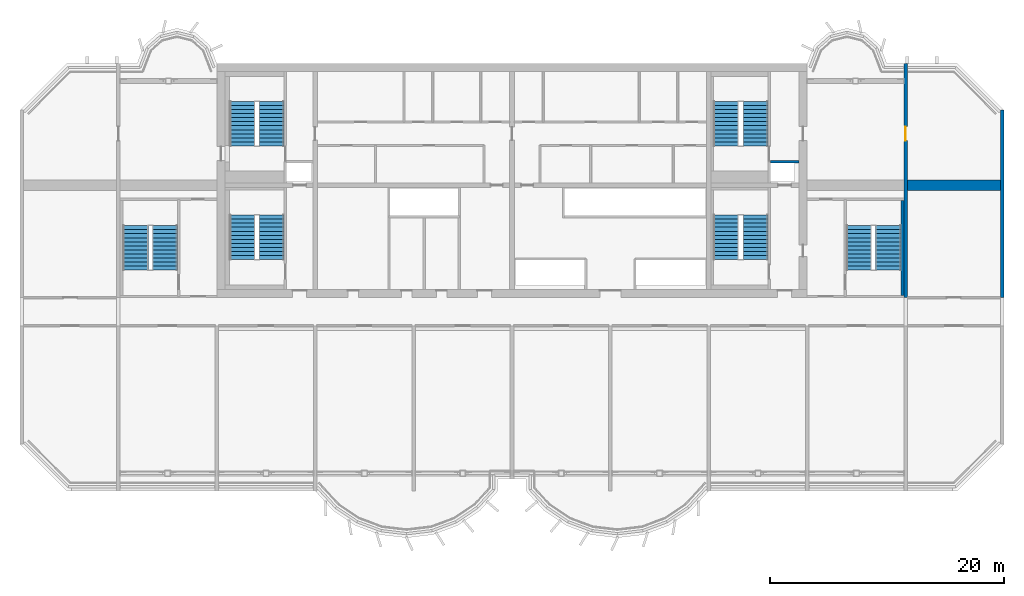
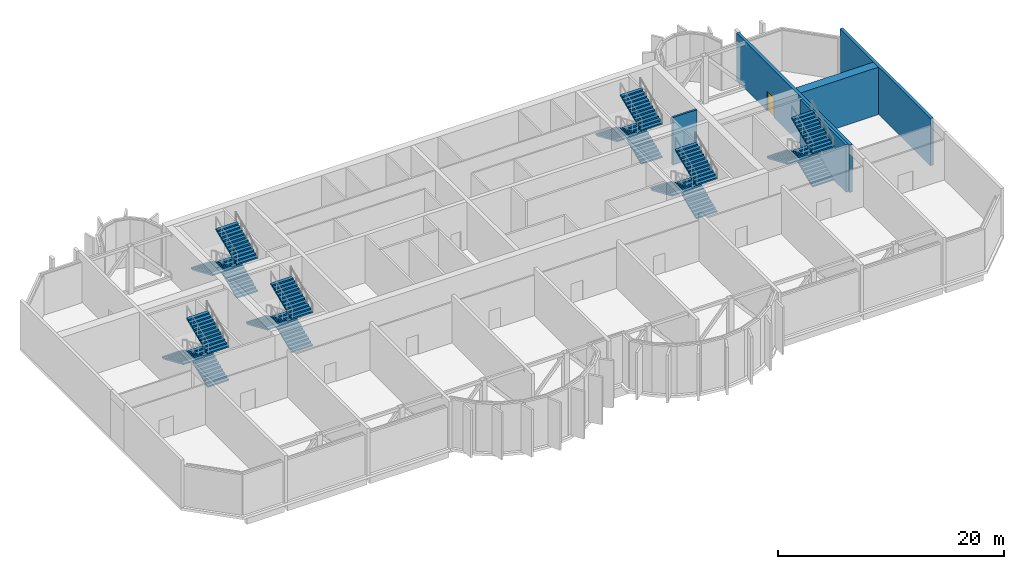
# One storey, part 7 of 15: 18 stair flights, 5 walls, 1 door, 1 opening, 6 elements without a shape of their own.
"""IFC4 building model written with IfcOpenShell, lengths in metres."""

import ifcopenshell
import ifcopenshell.guid

model = None  # the IFC model being written
_history = None  # IfcOwnerHistory: only IFC2X3 demands one
_inside = {}  # id of a spatial element -> (the spatial element, [elements in it])
_under = {}  # id of a project, library or spatial element -> (it, [spatial elements below it])
_declared = {}  # id of a project -> (the project, [libraries it declares])
_typed = {}  # id of a type object -> (the type object, [elements of that type])
_made_of = {}  # id of a material, layer set ... -> (it, [elements and type objects made of it])


def new_model(schema):
    """Start an empty IFC model of exactly this schema.

    Asked for "IFC4X3", IfcOpenShell would pick the latest addendum, in which some entities
    have other attributes; the version numbers below select the first issue.
    IFC2X3 requires an IfcOwnerHistory on every rooted entity: one is made here for all.
    """
    global model, _history
    if schema == "IFC4X3":
        model = ifcopenshell.file(schema_version=(4, 3, 0, 0))
    else:
        model = ifcopenshell.file(schema=schema)
    _inside.clear()
    _under.clear()
    _declared.clear()
    _typed.clear()
    _made_of.clear()
    _history = None
    if model.schema == "IFC2X3":
        org = make("IfcOrganization", Name="unknown")
        user = make(
            "IfcPersonAndOrganization",
            ThePerson=make("IfcPerson", FamilyName="unknown"),
            TheOrganization=org,
        )
        app = make(
            "IfcApplication",
            ApplicationDeveloper=org,
            Version="unknown",
            ApplicationFullName="unknown",
            ApplicationIdentifier="unknown",
        )
        _history = make(
            "IfcOwnerHistory",
            OwningUser=user,
            OwningApplication=app,
            ChangeAction="ADDED",
            CreationDate=0,
        )
    return model


def make(cls, **values):
    """One entity of the class cls with the attributes given. An attribute that is None is left unset."""
    return model.create_entity(
        cls, **{name: value for name, value in values.items() if value is not None}
    )


def rooted(cls, **values):
    """An entity with a GlobalId (a new one), such as an element, a storey or a relation."""
    return make(cls, GlobalId=ifcopenshell.guid.new(), OwnerHistory=_history, **values)


def si_unit(unit_type, name, prefix=None):
    """IfcSIUnit, for example si_unit("LENGTHUNIT", "METRE", prefix="MILLI")."""
    return make("IfcSIUnit", UnitType=unit_type, Prefix=prefix, Name=name)


def assignment(units):
    """IfcUnitAssignment: the units of a project."""
    return None if units is None else make("IfcUnitAssignment", Units=units)


def point(xyz):
    """IfcCartesianPoint."""
    return None if xyz is None else make("IfcCartesianPoint", Coordinates=xyz)


def direction(xyz):
    """IfcDirection."""
    return None if xyz is None else make("IfcDirection", DirectionRatios=xyz)


def frame(location, z_axis=None, x_axis=None):
    """IfcAxis2Placement3D, a coordinate frame: its origin and axes. An axis left out is left unset."""
    return make(
        "IfcAxis2Placement3D",
        Location=point(location),
        Axis=direction(z_axis),
        RefDirection=direction(x_axis),
    )


def frame_2d(location, x_axis=None):
    """IfcAxis2Placement2D, a coordinate frame in the plane: its origin and x axis."""
    return make(
        "IfcAxis2Placement2D", Location=point(location), RefDirection=direction(x_axis)
    )


def origin():
    """The frame at (0, 0, 0) with its axes left unset."""
    return frame((0.0, 0.0, 0.0))


def place(relative_to, where):
    """IfcLocalPlacement: puts the frame where relative to a parent placement (None: the world)."""
    return make(
        "IfcLocalPlacement", PlacementRelTo=relative_to, RelativePlacement=where
    )


def context(
    kind, dimensions, precision=None, world=None, true_north=None, identifier=None
):
    """IfcGeometricRepresentationContext, for example the 3D "Model" context."""
    return make(
        "IfcGeometricRepresentationContext",
        ContextIdentifier=identifier,
        ContextType=kind,
        CoordinateSpaceDimension=dimensions,
        Precision=precision,
        WorldCoordinateSystem=world,
        TrueNorth=true_north,
    )


def subcontext(parent, identifier, kind, view, scale=None):
    """IfcGeometricRepresentationSubContext, for example "Body" below "Model"."""
    return make(
        "IfcGeometricRepresentationSubContext",
        ContextIdentifier=identifier,
        ContextType=kind,
        ParentContext=parent,
        TargetScale=scale,
        TargetView=view,
    )


def project(units=None, contexts=None):
    """IfcProject with its units and contexts."""
    return rooted(
        "IfcProject",
        Name="project",
        RepresentationContexts=contexts,
        UnitsInContext=assignment(units),
    )


def spatial(cls, under=None, at=None, **own):
    """A site, building, storey or space (cls), placed at a placement, below another one or the project."""
    s = rooted(cls, ObjectPlacement=at, **own)
    if under is not None:
        _under.setdefault(under.id(), (under, []))[1].append(s)
    return s


def polyline(points):
    """IfcPolyline through the points."""
    return make("IfcPolyline", Points=[point(p) for p in points])


def profile(cls, at=None, kind="AREA", **sizes):
    """A parametric profile (cls). Its sizes go by their IFC names, for example OverallWidth=200.0."""
    return make(cls, ProfileType=kind, Position=at, **sizes)


def rectangle(**sizes):
    """IfcRectangleProfileDef."""
    return profile("IfcRectangleProfileDef", **sizes)


def outline(outer, holes=None, kind="AREA"):
    """IfcArbitraryClosedProfileDef: a profile drawn as a closed curve; with holes, ...WithVoids."""
    if holes is None:
        return make("IfcArbitraryClosedProfileDef", ProfileType=kind, OuterCurve=outer)
    return make(
        "IfcArbitraryProfileDefWithVoids",
        ProfileType=kind,
        OuterCurve=outer,
        InnerCurves=holes,
    )


def extrude(swept, where, along, depth):
    """IfcExtrudedAreaSolid: the profile swept, set in the frame where, extruded along a direction by depth."""
    return make(
        "IfcExtrudedAreaSolid",
        SweptArea=swept,
        Position=where,
        ExtrudedDirection=direction(along),
        Depth=depth,
    )


def shape(context_of_items, identifier, shape_type, items):
    """IfcShapeRepresentation: the items that make up one representation, for example the "Body"."""
    return make(
        "IfcShapeRepresentation",
        ContextOfItems=context_of_items,
        RepresentationIdentifier=identifier,
        RepresentationType=shape_type,
        Items=items,
    )


def source(mapping_origin, context_of_items, identifier, shape_type, items):
    """IfcRepresentationMap: a shape defined once, which mapped items show again and again."""
    return make(
        "IfcRepresentationMap",
        MappingOrigin=mapping_origin,
        MappedRepresentation=shape(context_of_items, identifier, shape_type, items),
    )


def transform(
    local_origin,
    x_axis=None,
    y_axis=None,
    z_axis=None,
    scale=None,
    scale2=None,
    scale3=None,
    uniform=True,
):
    """IfcCartesianTransformationOperator3D, or its non-uniform kind. x_axis, y_axis, z_axis: its Axis1, 2, 3."""
    if uniform:
        return make(
            "IfcCartesianTransformationOperator3D",
            Axis1=direction(x_axis),
            Axis2=direction(y_axis),
            LocalOrigin=point(local_origin),
            Scale=scale,
            Axis3=direction(z_axis),
        )
    return make(
        "IfcCartesianTransformationOperator3DnonUniform",
        Axis1=direction(x_axis),
        Axis2=direction(y_axis),
        LocalOrigin=point(local_origin),
        Scale=scale,
        Axis3=direction(z_axis),
        Scale2=scale2,
        Scale3=scale3,
    )


def mapped(mapping_source, mapping_target):
    """IfcMappedItem: shows the shape of a source again, moved by a transform."""
    return make(
        "IfcMappedItem", MappingSource=mapping_source, MappingTarget=mapping_target
    )


def material(Name=None, Category=None):
    """IfcMaterial."""
    return make("IfcMaterial", Name=Name, Category=Category)


def layer(
    of_material, thickness, ventilated=None, Name=None, Category=None, Priority=None
):
    """IfcMaterialLayer: one layer of a wall or slab, of a material (None: an air gap)."""
    return make(
        "IfcMaterialLayer",
        Material=of_material,
        LayerThickness=thickness,
        IsVentilated=ventilated,
        Name=Name,
        Category=Category,
        Priority=Priority,
    )


def layer_set(layers, Name=None):
    """IfcMaterialLayerSet."""
    return make("IfcMaterialLayerSet", MaterialLayers=layers, LayerSetName=Name)


def made_of(thing, what):
    """Note that an element or type object is made of a material, layer set ...; save() writes the relation."""
    if what is not None:
        _made_of.setdefault(what.id(), (what, []))[1].append(thing)
    return thing


def type_object(cls, material=None, **own):
    """A type object (cls), such as IfcWallType, which elements share."""
    return made_of(rooted(cls, **own), material)


def element(
    cls,
    number,
    at=None,
    inside=None,
    cuts=None,
    type_object=None,
    material=None,
    context=None,
    identifier="Body",
    shape_type=None,
    held_by="IfcProductDefinitionShape",
    body=None,
    shapes=None,
    **own,
):
    """One element of the class cls, such as IfcWall. Its Tag is "e" and its number.

    at: its placement. inside: the storey or other place that contains it. cuts: it is an
    opening in that element (IfcRelVoidsElement). A single representation is given by context,
    identifier, shape_type and body (its items); several are given by shapes. held_by: the class
    of the entity that holds the representations. save() writes the other relations.
    """
    e = rooted(cls, Tag="e%d" % number, ObjectPlacement=at, **own)
    if body is not None:
        shapes = [shape(context, identifier, shape_type, body)]
    if shapes is not None:
        e.Representation = make(held_by, Representations=shapes)
    if inside is not None:
        _inside.setdefault(inside.id(), (inside, []))[1].append(e)
    if cuts is not None:
        rooted(
            "IfcRelVoidsElement", RelatingBuildingElement=cuts, RelatedOpeningElement=e
        )
    if type_object is not None:
        _typed.setdefault(type_object.id(), (type_object, []))[1].append(e)
    return made_of(e, material)


def fill(opening, filler):
    """IfcRelFillsElement: the door or window that sits in an opening."""
    return rooted(
        "IfcRelFillsElement",
        RelatingOpeningElement=opening,
        RelatedBuildingElement=filler,
    )


def aggregate(whole, parts):
    """IfcRelAggregates: a whole, such as a stair, and the parts it consists of."""
    return rooted("IfcRelAggregates", RelatingObject=whole, RelatedObjects=parts)


def save(model, path):
    """Write the relations noted so far, then the file.

    IfcRelAggregates (storeys below a building ...), IfcRelContainedInSpatialStructure (elements
    in a storey), IfcRelDefinesByType, IfcRelAssociatesMaterial and IfcRelDeclares: one each for
    every whole, place, type object, material and project.
    """
    for whole, parts in _under.values():
        aggregate(whole, parts)
    for where, things in _inside.values():
        rooted(
            "IfcRelContainedInSpatialStructure",
            RelatedElements=things,
            RelatingStructure=where,
        )
    for kind, things in _typed.values():
        rooted("IfcRelDefinesByType", RelatedObjects=things, RelatingType=kind)
    for what, things in _made_of.values():
        rooted("IfcRelAssociatesMaterial", RelatedObjects=things, RelatingMaterial=what)
    for by, libraries in _declared.values():
        rooted("IfcRelDeclares", RelatingContext=by, RelatedDefinitions=libraries)
    model.write(path)


model = new_model("IFC4")

# Units and contexts
model_context = context("Model", 3, precision=1e-05, world=origin(), true_north=direction((0.0, 1.0)))
body_context = subcontext(model_context, "Body", "Model", "MODEL_VIEW")
ifc_project = project(units=[si_unit("LENGTHUNIT", "METRE"), si_unit("AREAUNIT", "SQUARE_METRE"), si_unit("VOLUMEUNIT", "CUBIC_METRE"), si_unit("PLANEANGLEUNIT", "RADIAN"), si_unit("MASSUNIT", "GRAM", prefix="KILO")], contexts=[model_context])

# Site, building, storey
site_placement = place(None, origin())
site = spatial("IfcSite", under=ifc_project, at=site_placement, CompositionType="ELEMENT")
building_placement = place(site_placement, origin())
building = spatial("IfcBuilding", under=site, at=building_placement, Name="Vanashikhar Sky Hotel", CompositionType="ELEMENT")
storey_placement = place(building_placement, frame((0.0, 0.0, 201.0)))
storey = spatial("IfcBuildingStorey", under=building, at=storey_placement, Name="L49", CompositionType="ELEMENT", Elevation=201.0)

# Wall
ifc_material_1 = material(Name="Concrete M60", Category="concrete")
ifc_layer_1 = layer(ifc_material_1, 0.300048828125)
ifc_layer_set_1 = layer_set([ifc_layer_1], Name="RC shear wall 300 Concrete M60")
wall_type_1 = type_object("IfcWallType", Name="RC shear wall 300 Concrete M60", PredefinedType="SHEAR", material=ifc_layer_set_1)
shared_shape_1 = source(origin(), body_context, "Body", "SweptSolid", [
    extrude(rectangle(XDim=16.0, YDim=0.300048828125, at=frame_2d((8.0, 0.0))), origin(), (0.0, 0.0, 1.0), 5.1201171875),
])
wall_1_placement = place(storey_placement, frame((92.25, 22.0, 0.0), z_axis=(0.0, 0.0, 1.0), x_axis=(0.0, 1.0, 0.0)))
element("IfcWall", 1, at=wall_1_placement, inside=storey, type_object=wall_type_1, Name="CW-L49-XW12-2", PredefinedType="SHEAR", context=body_context, shape_type="MappedRepresentation", body=[
    mapped(shared_shape_1, transform((0.0, 0.0, 0.0), scale=1.0)),
])

# Wall, opening, door
shared_shape_2 = source(origin(), body_context, "Body", "SweptSolid", [
    extrude(rectangle(XDim=20.0, YDim=0.300048828125, at=frame_2d((10.0, 0.0))), origin(), (0.0, 0.0, 1.0), 5.1201171875),
])
wall_2_placement = place(storey_placement, frame((84.0, 22.0, 0.0), z_axis=(0.0, 0.0, 1.0), x_axis=(0.0, 1.0, 0.0)))
wall_2 = element("IfcWall", 2, at=wall_2_placement, inside=storey, type_object=wall_type_1, Name="CW-L49-XW11-2", PredefinedType="SHEAR", context=body_context, shape_type="MappedRepresentation", body=[
    mapped(shared_shape_2, transform((0.0, 0.0, 0.0), scale=1.0)),
])
shared_shape_3 = source(origin(), body_context, "Body", "SweptSolid", [
    extrude(rectangle(XDim=1.199951171875, YDim=2.10009765625, at=frame_2d((0.60009765625, 1.050048828125))), frame((0.0, 0.16015625, 0.0), z_axis=(0.0, -1.0, 0.0), x_axis=(1.0, 0.0, 0.0)), (0.0, 0.0, 1.0), 0.320068359375),
])
opening_placement = place(wall_2_placement, frame((13.39990234375, 0.0, 0.0)))
opening = element("IfcOpeningElement", 3, at=opening_placement, cuts=wall_2, Name="Opening DC-4-D", PredefinedType="OPENING", context=body_context, shape_type="MappedRepresentation", body=[
    mapped(shared_shape_3, transform((0.0, 0.0, 0.0), scale=1.0)),
])
ifc_material_2 = material(Name="Steel", Category="steel")
door_type = type_object("IfcDoorType", Name="Service door 1200 FD120", OperationType="NOTDEFINED", PredefinedType="DOOR", material=ifc_material_2)
shared_shape_4 = source(origin(), body_context, "Body", "SweptSolid", [
    extrude(rectangle(XDim=1.199951171875, YDim=2.10009765625, at=frame_2d((0.60009765625, 1.050048828125))), frame((0.0, 0.02490234375, 0.0), z_axis=(0.0, -1.0, 0.0), x_axis=(1.0, 0.0, 0.0)), (0.0, 0.0, 1.0), 0.050048828125),
])
door_placement = place(opening_placement, origin())
door = element("IfcDoor", 4, at=door_placement, inside=storey, type_object=door_type, Name="Service door 1200 FD120", OperationType="SINGLE_SWING_RIGHT", OverallHeight=2.10009765625, OverallWidth=1.199951171875, PredefinedType="DOOR", context=body_context, shape_type="MappedRepresentation", body=[
    mapped(shared_shape_4, transform((0.0, 0.0, 0.0), scale=1.0)),
])
fill(opening, door)

# Walls
ifc_layer_2 = layer(ifc_material_1, 0.89990234375)
ifc_layer_set_2 = layer_set([ifc_layer_2], Name="RC outrigger wall 900 Concrete M60")
wall_type_2 = type_object("IfcWallType", Name="RC outrigger wall 900 Concrete M60", PredefinedType="SHEAR", material=ifc_layer_set_2)
shared_shape_5 = source(origin(), body_context, "Body", "SweptSolid", [
    extrude(rectangle(XDim=7.9501953125, YDim=0.89990234375, at=frame_2d((3.97509765625, 0.0))), origin(), (0.0, 0.0, 1.0), 5.1201171875),
])
wall_3_placement = place(storey_placement, frame((84.14990234375, 31.60009765625, 0.0), z_axis=(0.0, 0.0, 1.0), x_axis=(1.0, 0.0, 0.0)))
element("IfcWall", 5, at=wall_3_placement, inside=storey, type_object=wall_type_2, Name="OW-L49-04", PredefinedType="SHEAR", context=body_context, shape_type="MappedRepresentation", body=[
    mapped(shared_shape_5, transform((0.0, 0.0, 0.0), scale=1.0)),
])
ifc_material_3 = material(Name="Concrete M40", Category="concrete")
ifc_layer_3 = layer(ifc_material_3, 0.199951171875)
ifc_layer_set_3 = layer_set([ifc_layer_3], Name="Shaft wall 200")
wall_type_3 = type_object("IfcWallType", Name="Shaft wall 200", PredefinedType="SOLIDWALL", material=ifc_layer_set_3)
shared_shape_6 = source(origin(), body_context, "Body", "SweptSolid", [
    extrude(rectangle(XDim=2.449951171875, YDim=0.199951171875, at=frame_2d((1.22509765625, 0.0))), origin(), (0.0, 0.0, 1.0), 5.1201171875),
])
wall_4_placement = place(storey_placement, frame((72.449951171875, 33.60009765625, 0.0), z_axis=(0.0, 0.0, 1.0), x_axis=(1.0, 0.0, 0.0)))
element("IfcWall", 6, at=wall_4_placement, inside=storey, type_object=wall_type_3, Name="Shaft wall 200", PredefinedType="SOLIDWALL", context=body_context, shape_type="MappedRepresentation", body=[
    mapped(shared_shape_6, transform((0.0, 0.0, 0.0), scale=1.0)),
])
ifc_material_4 = material(Name="Concrete M50", Category="concrete")
ifc_layer_4 = layer(ifc_material_4, 0.25)
ifc_layer_set_4 = layer_set([ifc_layer_4], Name="Stair infill wall 250")
wall_type_4 = type_object("IfcWallType", Name="Stair infill wall 250", PredefinedType="SOLIDWALL", material=ifc_layer_set_4)
shared_shape_7 = source(origin(), body_context, "Body", "SweptSolid", [
    extrude(rectangle(XDim=8.10009765625, YDim=0.25, at=frame_2d((4.050048828125, 0.0))), origin(), (0.0, 0.0, 1.0), 5.1201171875),
])
wall_5_placement = place(storey_placement, frame((83.72509765625, 22.199951171875, 0.0), z_axis=(0.0, 0.0, 1.0), x_axis=(0.0, 1.0, 0.0)))
element("IfcWall", 7, at=wall_5_placement, inside=storey, type_object=wall_type_4, Name="Stair infill wall 250", PredefinedType="SOLIDWALL", context=body_context, shape_type="MappedRepresentation", body=[
    mapped(shared_shape_7, transform((0.0, 0.0, 0.0), scale=1.0)),
])

# Stair, stair flights
stair_type = type_object("IfcStairType", Name="Exit stair 2150", PredefinedType="DOUBLE_RETURN_STAIR", material=ifc_material_3)
stair_1_placement = place(storey_placement, origin())
stair_1 = element("IfcStair", 8, at=stair_1_placement, inside=storey, type_object=stair_type, Name="L49 Exit stair 1", PredefinedType="DOUBLE_RETURN_STAIR")
stair_flight_type = type_object("IfcStairFlightType", Name="Stair flight 2150", PredefinedType="STRAIGHT", material=ifc_material_3)
shared_shape_8 = source(origin(), body_context, "Body", "SweptSolid", [
    extrude(outline(polyline([(0.0, 0.0), (0.0, 0.14990234375), (0.345458984375, 0.14990234375), (0.345458984375, 0.300048828125), (0.69091796875, 0.300048828125), (0.69091796875, 0.449951171875), (1.036376953125, 0.449951171875), (1.036376953125, 0.60009765625), (1.3818359375, 0.60009765625), (1.3818359375, 0.75), (1.727294921875, 0.75), (1.727294921875, 0.89990234375), (2.07275390625, 0.89990234375), (2.07275390625, 1.050048828125), (2.418212890625, 1.050048828125), (2.418212890625, 1.199951171875), (2.763671875, 1.199951171875), (2.763671875, 1.35009765625), (3.109130859375, 1.35009765625), (3.109130859375, 1.5), (3.45458984375, 1.5), (3.45458984375, 1.64990234375), (3.800048828125, 1.64990234375), (3.800048828125, 1.800048828125), (3.800048828125, 1.51904296875), (0.301513671875, 0.0), (0.0, 0.0)])), frame((0.0, 1.074951171875, 0.0), z_axis=(0.0, -1.0, 0.0), x_axis=(1.0, 0.0, 0.0)), (0.0, 0.0, 1.0), 2.14990234375),
])
stair_flight_1_placement = place(storey_placement, frame((29.875, 25.25, 0.0), z_axis=(0.0, 0.0, 1.0), x_axis=(0.0, 1.0, 0.0)))
stair_flight_1 = element("IfcStairFlight", 9, at=stair_flight_1_placement, type_object=stair_flight_type, Name="ST-C1 flight 1", NumberOfRisers=12, NumberOfTreads=11, PredefinedType="STRAIGHT", RiserHeight=0.15, TreadLength=0.345454545, context=body_context, shape_type="MappedRepresentation", body=[
    mapped(shared_shape_8, transform((0.0, 0.0, 0.0), scale=1.0)),
])
stair_flight_2_placement = place(storey_placement, frame((27.375, 29.050048828125, 1.800048828125), z_axis=(0.0, 0.0, 1.0), x_axis=(0.0, -1.0, 0.0)))
stair_flight_2 = element("IfcStairFlight", 10, at=stair_flight_2_placement, type_object=stair_flight_type, Name="ST-C1 flight 2", NumberOfRisers=12, NumberOfTreads=11, PredefinedType="STRAIGHT", RiserHeight=0.15, TreadLength=0.345454545, context=body_context, shape_type="MappedRepresentation", body=[
    mapped(shared_shape_8, transform((0.0, 0.0, 0.0), scale=1.0)),
])
stair_flight_3_placement = place(storey_placement, frame((29.875, 25.25, 3.60009765625), z_axis=(0.0, 0.0, 1.0), x_axis=(0.0, 1.0, 0.0)))
stair_flight_3 = element("IfcStairFlight", 11, at=stair_flight_3_placement, type_object=stair_flight_type, Name="ST-C1 flight 3", NumberOfRisers=12, NumberOfTreads=11, PredefinedType="STRAIGHT", RiserHeight=0.15, TreadLength=0.345454545, context=body_context, shape_type="MappedRepresentation", body=[
    mapped(shared_shape_8, transform((0.0, 0.0, 0.0), scale=1.0)),
])
aggregate(stair_1, [stair_flight_1, stair_flight_2, stair_flight_3])

stair_2_placement = place(storey_placement, origin())
stair_2 = element("IfcStair", 12, at=stair_2_placement, inside=storey, type_object=stair_type, Name="L49 Exit stair 2", PredefinedType="DOUBLE_RETURN_STAIR")
stair_flight_4_placement = place(storey_placement, frame((71.175048828125, 25.25, 0.0), z_axis=(0.0, 0.0, 1.0), x_axis=(0.0, 1.0, 0.0)))
stair_flight_4 = element("IfcStairFlight", 13, at=stair_flight_4_placement, type_object=stair_flight_type, Name="ST-C2 flight 1", NumberOfRisers=12, NumberOfTreads=11, PredefinedType="STRAIGHT", RiserHeight=0.15, TreadLength=0.345454545, context=body_context, shape_type="MappedRepresentation", body=[
    mapped(shared_shape_8, transform((0.0, 0.0, 0.0), scale=1.0)),
])
stair_flight_5_placement = place(storey_placement, frame((68.675048828125, 29.050048828125, 1.800048828125), z_axis=(0.0, 0.0, 1.0), x_axis=(0.0, -1.0, 0.0)))
stair_flight_5 = element("IfcStairFlight", 14, at=stair_flight_5_placement, type_object=stair_flight_type, Name="ST-C2 flight 2", NumberOfRisers=12, NumberOfTreads=11, PredefinedType="STRAIGHT", RiserHeight=0.15, TreadLength=0.345454545, context=body_context, shape_type="MappedRepresentation", body=[
    mapped(shared_shape_8, transform((0.0, 0.0, 0.0), scale=1.0)),
])
stair_flight_6_placement = place(storey_placement, frame((71.175048828125, 25.25, 3.60009765625), z_axis=(0.0, 0.0, 1.0), x_axis=(0.0, 1.0, 0.0)))
stair_flight_6 = element("IfcStairFlight", 15, at=stair_flight_6_placement, type_object=stair_flight_type, Name="ST-C2 flight 3", NumberOfRisers=12, NumberOfTreads=11, PredefinedType="STRAIGHT", RiserHeight=0.15, TreadLength=0.345454545, context=body_context, shape_type="MappedRepresentation", body=[
    mapped(shared_shape_8, transform((0.0, 0.0, 0.0), scale=1.0)),
])
aggregate(stair_2, [stair_flight_4, stair_flight_5, stair_flight_6])

stair_3_placement = place(storey_placement, origin())
stair_3 = element("IfcStair", 16, at=stair_3_placement, inside=storey, type_object=stair_type, Name="L49 Exit stair 3", PredefinedType="DOUBLE_RETURN_STAIR")
stair_flight_7_placement = place(storey_placement, frame((20.77490234375, 24.35009765625, 0.0), z_axis=(0.0, 0.0, 1.0), x_axis=(0.0, 1.0, 0.0)))
stair_flight_7 = element("IfcStairFlight", 17, at=stair_flight_7_placement, type_object=stair_flight_type, Name="ST-W flight 1", NumberOfRisers=12, NumberOfTreads=11, PredefinedType="STRAIGHT", RiserHeight=0.15, TreadLength=0.345454545, context=body_context, shape_type="MappedRepresentation", body=[
    mapped(shared_shape_8, transform((0.0, 0.0, 0.0), scale=1.0)),
])
stair_flight_8_placement = place(storey_placement, frame((18.27490234375, 28.14990234375, 1.800048828125), z_axis=(0.0, 0.0, 1.0), x_axis=(0.0, -1.0, 0.0)))
stair_flight_8 = element("IfcStairFlight", 18, at=stair_flight_8_placement, type_object=stair_flight_type, Name="ST-W flight 2", NumberOfRisers=12, NumberOfTreads=11, PredefinedType="STRAIGHT", RiserHeight=0.15, TreadLength=0.345454545, context=body_context, shape_type="MappedRepresentation", body=[
    mapped(shared_shape_8, transform((0.0, 0.0, 0.0), scale=1.0)),
])
stair_flight_9_placement = place(storey_placement, frame((20.77490234375, 24.35009765625, 3.60009765625), z_axis=(0.0, 0.0, 1.0), x_axis=(0.0, 1.0, 0.0)))
stair_flight_9 = element("IfcStairFlight", 19, at=stair_flight_9_placement, type_object=stair_flight_type, Name="ST-W flight 3", NumberOfRisers=12, NumberOfTreads=11, PredefinedType="STRAIGHT", RiserHeight=0.15, TreadLength=0.345454545, context=body_context, shape_type="MappedRepresentation", body=[
    mapped(shared_shape_8, transform((0.0, 0.0, 0.0), scale=1.0)),
])
aggregate(stair_3, [stair_flight_7, stair_flight_8, stair_flight_9])

stair_4_placement = place(storey_placement, origin())
stair_4 = element("IfcStair", 20, at=stair_4_placement, inside=storey, type_object=stair_type, Name="L49 Exit stair 4", PredefinedType="DOUBLE_RETURN_STAIR")
stair_flight_10_placement = place(storey_placement, frame((82.52490234375, 24.35009765625, 0.0), z_axis=(0.0, 0.0, 1.0), x_axis=(0.0, 1.0, 0.0)))
stair_flight_10 = element("IfcStairFlight", 21, at=stair_flight_10_placement, type_object=stair_flight_type, Name="ST-E flight 1", NumberOfRisers=12, NumberOfTreads=11, PredefinedType="STRAIGHT", RiserHeight=0.15, TreadLength=0.345454545, context=body_context, shape_type="MappedRepresentation", body=[
    mapped(shared_shape_8, transform((0.0, 0.0, 0.0), scale=1.0)),
])
stair_flight_11_placement = place(storey_placement, frame((80.02490234375, 28.14990234375, 1.800048828125), z_axis=(0.0, 0.0, 1.0), x_axis=(0.0, -1.0, 0.0)))
stair_flight_11 = element("IfcStairFlight", 22, at=stair_flight_11_placement, type_object=stair_flight_type, Name="ST-E flight 2", NumberOfRisers=12, NumberOfTreads=11, PredefinedType="STRAIGHT", RiserHeight=0.15, TreadLength=0.345454545, context=body_context, shape_type="MappedRepresentation", body=[
    mapped(shared_shape_8, transform((0.0, 0.0, 0.0), scale=1.0)),
])
stair_flight_12_placement = place(storey_placement, frame((82.52490234375, 24.35009765625, 3.60009765625), z_axis=(0.0, 0.0, 1.0), x_axis=(0.0, 1.0, 0.0)))
stair_flight_12 = element("IfcStairFlight", 23, at=stair_flight_12_placement, type_object=stair_flight_type, Name="ST-E flight 3", NumberOfRisers=12, NumberOfTreads=11, PredefinedType="STRAIGHT", RiserHeight=0.15, TreadLength=0.345454545, context=body_context, shape_type="MappedRepresentation", body=[
    mapped(shared_shape_8, transform((0.0, 0.0, 0.0), scale=1.0)),
])
aggregate(stair_4, [stair_flight_10, stair_flight_11, stair_flight_12])

stair_5_placement = place(storey_placement, origin())
stair_5 = element("IfcStair", 24, at=stair_5_placement, inside=storey, type_object=stair_type, Name="L49 Exit stair 5", PredefinedType="DOUBLE_RETURN_STAIR")
stair_flight_13_placement = place(storey_placement, frame((29.875, 34.949951171875, 0.0), z_axis=(0.0, 0.0, 1.0), x_axis=(0.0, 1.0, 0.0)))
stair_flight_13 = element("IfcStairFlight", 25, at=stair_flight_13_placement, type_object=stair_flight_type, Name="ST-C3 flight 1", NumberOfRisers=12, NumberOfTreads=11, PredefinedType="STRAIGHT", RiserHeight=0.15, TreadLength=0.345454545, context=body_context, shape_type="MappedRepresentation", body=[
    mapped(shared_shape_8, transform((0.0, 0.0, 0.0), scale=1.0)),
])
stair_flight_14_placement = place(storey_placement, frame((27.375, 38.75, 1.800048828125), z_axis=(0.0, 0.0, 1.0), x_axis=(0.0, -1.0, 0.0)))
stair_flight_14 = element("IfcStairFlight", 26, at=stair_flight_14_placement, type_object=stair_flight_type, Name="ST-C3 flight 2", NumberOfRisers=12, NumberOfTreads=11, PredefinedType="STRAIGHT", RiserHeight=0.15, TreadLength=0.345454545, context=body_context, shape_type="MappedRepresentation", body=[
    mapped(shared_shape_8, transform((0.0, 0.0, 0.0), scale=1.0)),
])
stair_flight_15_placement = place(storey_placement, frame((29.875, 34.949951171875, 3.60009765625), z_axis=(0.0, 0.0, 1.0), x_axis=(0.0, 1.0, 0.0)))
stair_flight_15 = element("IfcStairFlight", 27, at=stair_flight_15_placement, type_object=stair_flight_type, Name="ST-C3 flight 3", NumberOfRisers=12, NumberOfTreads=11, PredefinedType="STRAIGHT", RiserHeight=0.15, TreadLength=0.345454545, context=body_context, shape_type="MappedRepresentation", body=[
    mapped(shared_shape_8, transform((0.0, 0.0, 0.0), scale=1.0)),
])
aggregate(stair_5, [stair_flight_13, stair_flight_14, stair_flight_15])

stair_6_placement = place(storey_placement, origin())
stair_6 = element("IfcStair", 28, at=stair_6_placement, inside=storey, type_object=stair_type, Name="L49 Exit stair 6", PredefinedType="DOUBLE_RETURN_STAIR")
stair_flight_16_placement = place(storey_placement, frame((71.175048828125, 34.949951171875, 0.0), z_axis=(0.0, 0.0, 1.0), x_axis=(0.0, 1.0, 0.0)))
stair_flight_16 = element("IfcStairFlight", 29, at=stair_flight_16_placement, type_object=stair_flight_type, Name="ST-C4 flight 1", NumberOfRisers=12, NumberOfTreads=11, PredefinedType="STRAIGHT", RiserHeight=0.15, TreadLength=0.345454545, context=body_context, shape_type="MappedRepresentation", body=[
    mapped(shared_shape_8, transform((0.0, 0.0, 0.0), scale=1.0)),
])
stair_flight_17_placement = place(storey_placement, frame((68.675048828125, 38.75, 1.800048828125), z_axis=(0.0, 0.0, 1.0), x_axis=(0.0, -1.0, 0.0)))
stair_flight_17 = element("IfcStairFlight", 30, at=stair_flight_17_placement, type_object=stair_flight_type, Name="ST-C4 flight 2", NumberOfRisers=12, NumberOfTreads=11, PredefinedType="STRAIGHT", RiserHeight=0.15, TreadLength=0.345454545, context=body_context, shape_type="MappedRepresentation", body=[
    mapped(shared_shape_8, transform((0.0, 0.0, 0.0), scale=1.0)),
])
stair_flight_18_placement = place(storey_placement, frame((71.175048828125, 34.949951171875, 3.60009765625), z_axis=(0.0, 0.0, 1.0), x_axis=(0.0, 1.0, 0.0)))
stair_flight_18 = element("IfcStairFlight", 31, at=stair_flight_18_placement, type_object=stair_flight_type, Name="ST-C4 flight 3", NumberOfRisers=12, NumberOfTreads=11, PredefinedType="STRAIGHT", RiserHeight=0.15, TreadLength=0.345454545, context=body_context, shape_type="MappedRepresentation", body=[
    mapped(shared_shape_8, transform((0.0, 0.0, 0.0), scale=1.0)),
])
aggregate(stair_6, [stair_flight_16, stair_flight_17, stair_flight_18])

save(model, "model.ifc")
